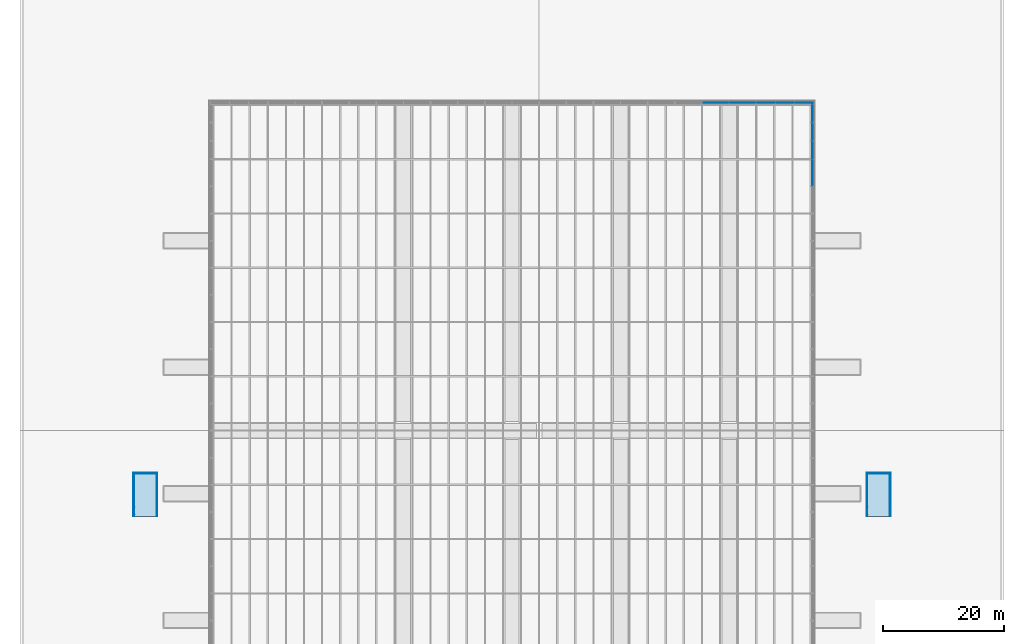
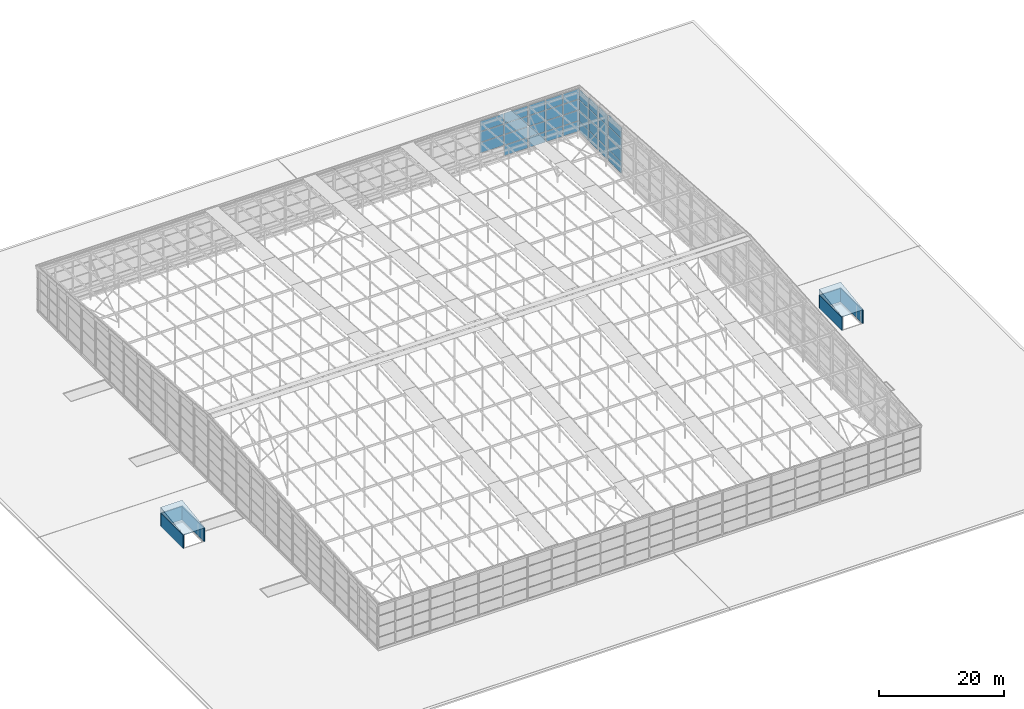
# One storey, part 58 of 84: 35 plates, 6 walls, 2 roofs, 6 elements without a shape of their own.
"""IFC4 building model written with IfcOpenShell, lengths in metres."""

from ifc_helpers import new_model, si_unit, direction, frame, frame_2d, origin, origin_2d, place, context, subcontext, project, spatial, rectangle, extrude, faceted_brep, material, layer, layer_set, type_object, element, aggregate, save


model = new_model("IFC4")

# Units and contexts
model_context = context("Model", 3, precision=1e-05, world=origin(), true_north=direction((0.0, 1.0)))
body_context = subcontext(model_context, "Body", "Model", "MODEL_VIEW")
ifc_project = project(units=[si_unit("LENGTHUNIT", "METRE"), si_unit("AREAUNIT", "SQUARE_METRE"), si_unit("VOLUMEUNIT", "CUBIC_METRE"), si_unit("PLANEANGLEUNIT", "RADIAN"), si_unit("MASSUNIT", "GRAM", prefix="KILO")], contexts=[model_context])

# Site, building, storey
site_placement = place(None, origin())
site = spatial("IfcSite", under=ifc_project, at=site_placement, CompositionType="ELEMENT")
building_placement = place(site_placement, origin())
building = spatial("IfcBuilding", under=site, at=building_placement, Name="Silverbay Arena", CompositionType="ELEMENT")
storey_placement = place(building_placement, frame((0.0, 0.0, 47.10009765625)))
storey = spatial("IfcBuildingStorey", under=building, at=storey_placement, Name="ROOF", CompositionType="ELEMENT", Elevation=47.10009765625)

# Curtain wall, plates
ifc_material_1 = material(Name="Aluminium framed glazing", Category="aluminium")
curtain_wall_type_1 = type_object("IfcCurtainWallType", Name="Curtain wall crown 9000 x 8425", PredefinedType="NOTDEFINED", material=ifc_material_1)
curtain_wall_1_placement = place(storey_placement, origin())
curtain_wall_1 = element("IfcCurtainWall", 1, at=curtain_wall_1_placement, inside=storey, type_object=curtain_wall_type_1, Name="ROOF CROWN CURTAIN WALL north bay 10", PredefinedType="NOTDEFINED")
ifc_material_2 = material(Name="Laminated glass", Category="glass")
ifc_layer_1 = layer(ifc_material_2, 0.031982421875)
ifc_layer_set_1 = layer_set([ifc_layer_1], Name="Laminated glass")
plate_type = type_object("IfcPlateType", Name="Glass panel 32", PredefinedType="CURTAIN_PANEL", material=ifc_layer_set_1)
placement = place(building_placement, frame((0.0, 0.0, 33.5)))
plate_1_placement = place(placement, frame((164.27490234375, 135.35009765625, 16.18603515625), z_axis=(0.0, 0.0, 1.0), x_axis=(1.0, 0.0, 0.0)))
plate_1 = element("IfcPlate", 2, at=plate_1_placement, type_object=plate_type, Name="CW62 panel 1.2", PredefinedType="CURTAIN_PANEL", context=body_context, shape_type="SweptSolid", body=[
    extrude(rectangle(XDim=4.35009765625, YDim=0.031982421875, at=origin_2d()), origin(), (0.0, 0.0, 1.0), 2.046142578125),
])
plate_2_placement = place(placement, frame((164.27490234375, 135.35009765625, 18.29248046875), z_axis=(0.0, 0.0, 1.0), x_axis=(1.0, 0.0, 0.0)))
plate_2 = element("IfcPlate", 3, at=plate_2_placement, type_object=plate_type, Name="CW62 panel 1.3", PredefinedType="CURTAIN_PANEL", context=body_context, shape_type="SweptSolid", body=[
    extrude(rectangle(XDim=4.35009765625, YDim=0.031982421875, at=origin_2d()), origin(), (0.0, 0.0, 1.0), 2.046142578125),
])
plate_3_placement = place(placement, frame((164.27490234375, 135.35009765625, 20.398681640625), z_axis=(0.0, 0.0, 1.0), x_axis=(1.0, 0.0, 0.0)))
plate_3 = element("IfcPlate", 4, at=plate_3_placement, type_object=plate_type, Name="CW62 panel 1.4", PredefinedType="CURTAIN_PANEL", context=body_context, shape_type="SweptSolid", body=[
    extrude(rectangle(XDim=4.35009765625, YDim=0.031982421875, at=origin_2d()), origin(), (0.0, 0.0, 1.0), 2.01611328125),
])
plate_4_placement = place(placement, frame((168.72509765625, 135.35009765625, 14.110107421875), z_axis=(0.0, 0.0, 1.0), x_axis=(1.0, 0.0, 0.0)))
plate_4 = element("IfcPlate", 5, at=plate_4_placement, type_object=plate_type, Name="CW62 panel 2.1", PredefinedType="CURTAIN_PANEL", context=body_context, shape_type="SweptSolid", body=[
    extrude(rectangle(XDim=4.35009765625, YDim=0.031982421875, at=origin_2d()), origin(), (0.0, 0.0, 1.0), 2.01611328125),
])
plate_5_placement = place(placement, frame((168.72509765625, 135.35009765625, 16.18603515625), z_axis=(0.0, 0.0, 1.0), x_axis=(1.0, 0.0, 0.0)))
plate_5 = element("IfcPlate", 6, at=plate_5_placement, type_object=plate_type, Name="CW62 panel 2.2", PredefinedType="CURTAIN_PANEL", context=body_context, shape_type="SweptSolid", body=[
    extrude(rectangle(XDim=4.35009765625, YDim=0.031982421875, at=origin_2d()), origin(), (0.0, 0.0, 1.0), 2.046142578125),
])
plate_6_placement = place(placement, frame((168.72509765625, 135.35009765625, 18.29248046875), z_axis=(0.0, 0.0, 1.0), x_axis=(1.0, 0.0, 0.0)))
plate_6 = element("IfcPlate", 7, at=plate_6_placement, type_object=plate_type, Name="CW62 panel 2.3", PredefinedType="CURTAIN_PANEL", context=body_context, shape_type="SweptSolid", body=[
    extrude(rectangle(XDim=4.35009765625, YDim=0.031982421875, at=origin_2d()), origin(), (0.0, 0.0, 1.0), 2.046142578125),
])
plate_7_placement = place(placement, frame((168.72509765625, 135.35009765625, 20.398681640625), z_axis=(0.0, 0.0, 1.0), x_axis=(1.0, 0.0, 0.0)))
plate_7 = element("IfcPlate", 8, at=plate_7_placement, type_object=plate_type, Name="CW62 panel 2.4", PredefinedType="CURTAIN_PANEL", context=body_context, shape_type="SweptSolid", body=[
    extrude(rectangle(XDim=4.35009765625, YDim=0.031982421875, at=origin_2d()), origin(), (0.0, 0.0, 1.0), 2.01611328125),
])
aggregate(curtain_wall_1, [plate_1, plate_2, plate_3, plate_4, plate_5, plate_6, plate_7])

ifc_material_3 = material(Name="Aluminium framed glazing", Category="aluminium")
curtain_wall_type_2 = type_object("IfcCurtainWallType", Name="Curtain wall crown 9575 x 8425", PredefinedType="NOTDEFINED", material=ifc_material_3)
curtain_wall_2_placement = place(storey_placement, origin())
curtain_wall_2 = element("IfcCurtainWall", 9, at=curtain_wall_2_placement, inside=storey, type_object=curtain_wall_type_2, Name="ROOF CROWN CURTAIN WALL north bay 11", PredefinedType="NOTDEFINED")
plate_8_placement = place(placement, frame((172.620849609375, 135.35009765625, 14.110107421875), z_axis=(0.0, 0.0, 1.0), x_axis=(1.0, 0.0, 0.0)))
plate_8 = element("IfcPlate", 10, at=plate_8_placement, type_object=plate_type, Name="CW61 panel 1.1", PredefinedType="CURTAIN_PANEL", context=body_context, shape_type="SweptSolid", body=[
    extrude(rectangle(XDim=3.041748046875, YDim=0.031982421875, at=origin_2d()), origin(), (0.0, 0.0, 1.0), 2.01611328125),
])
plate_9_placement = place(placement, frame((172.620849609375, 135.35009765625, 16.18603515625), z_axis=(0.0, 0.0, 1.0), x_axis=(1.0, 0.0, 0.0)))
plate_9 = element("IfcPlate", 11, at=plate_9_placement, type_object=plate_type, Name="CW61 panel 1.2", PredefinedType="CURTAIN_PANEL", context=body_context, shape_type="SweptSolid", body=[
    extrude(rectangle(XDim=3.041748046875, YDim=0.031982421875, at=origin_2d()), origin(), (0.0, 0.0, 1.0), 2.046142578125),
])
plate_10_placement = place(placement, frame((172.620849609375, 135.35009765625, 18.29248046875), z_axis=(0.0, 0.0, 1.0), x_axis=(1.0, 0.0, 0.0)))
plate_10 = element("IfcPlate", 12, at=plate_10_placement, type_object=plate_type, Name="CW61 panel 1.3", PredefinedType="CURTAIN_PANEL", context=body_context, shape_type="SweptSolid", body=[
    extrude(rectangle(XDim=3.041748046875, YDim=0.031982421875, at=origin_2d()), origin(), (0.0, 0.0, 1.0), 2.046142578125),
])
plate_11_placement = place(placement, frame((172.620849609375, 135.35009765625, 20.398681640625), z_axis=(0.0, 0.0, 1.0), x_axis=(1.0, 0.0, 0.0)))
plate_11 = element("IfcPlate", 13, at=plate_11_placement, type_object=plate_type, Name="CW61 panel 1.4", PredefinedType="CURTAIN_PANEL", context=body_context, shape_type="SweptSolid", body=[
    extrude(rectangle(XDim=3.041748046875, YDim=0.031982421875, at=origin_2d()), origin(), (0.0, 0.0, 1.0), 2.01611328125),
])
plate_12_placement = place(placement, frame((175.78759765625, 135.35009765625, 14.110107421875), z_axis=(0.0, 0.0, 1.0), x_axis=(1.0, 0.0, 0.0)))
plate_12 = element("IfcPlate", 14, at=plate_12_placement, type_object=plate_type, Name="CW61 panel 2.1", PredefinedType="CURTAIN_PANEL", context=body_context, shape_type="SweptSolid", body=[
    extrude(rectangle(XDim=3.091552734375, YDim=0.031982421875, at=origin_2d()), origin(), (0.0, 0.0, 1.0), 2.01611328125),
])
plate_13_placement = place(placement, frame((175.78759765625, 135.35009765625, 16.18603515625), z_axis=(0.0, 0.0, 1.0), x_axis=(1.0, 0.0, 0.0)))
plate_13 = element("IfcPlate", 15, at=plate_13_placement, type_object=plate_type, Name="CW61 panel 2.2", PredefinedType="CURTAIN_PANEL", context=body_context, shape_type="SweptSolid", body=[
    extrude(rectangle(XDim=3.091552734375, YDim=0.031982421875, at=origin_2d()), origin(), (0.0, 0.0, 1.0), 2.046142578125),
])
plate_14_placement = place(placement, frame((175.78759765625, 135.35009765625, 18.29248046875), z_axis=(0.0, 0.0, 1.0), x_axis=(1.0, 0.0, 0.0)))
plate_14 = element("IfcPlate", 16, at=plate_14_placement, type_object=plate_type, Name="CW61 panel 2.3", PredefinedType="CURTAIN_PANEL", context=body_context, shape_type="SweptSolid", body=[
    extrude(rectangle(XDim=3.091552734375, YDim=0.031982421875, at=origin_2d()), origin(), (0.0, 0.0, 1.0), 2.046142578125),
])
plate_15_placement = place(placement, frame((175.78759765625, 135.35009765625, 20.398681640625), z_axis=(0.0, 0.0, 1.0), x_axis=(1.0, 0.0, 0.0)))
plate_15 = element("IfcPlate", 17, at=plate_15_placement, type_object=plate_type, Name="CW61 panel 2.4", PredefinedType="CURTAIN_PANEL", context=body_context, shape_type="SweptSolid", body=[
    extrude(rectangle(XDim=3.091552734375, YDim=0.031982421875, at=origin_2d()), origin(), (0.0, 0.0, 1.0), 2.01611328125),
])
plate_16_placement = place(placement, frame((178.9541015625, 135.35009765625, 14.110107421875), z_axis=(0.0, 0.0, 1.0), x_axis=(1.0, 0.0, 0.0)))
plate_16 = element("IfcPlate", 18, at=plate_16_placement, type_object=plate_type, Name="CW61 panel 3.1", PredefinedType="CURTAIN_PANEL", context=body_context, shape_type="SweptSolid", body=[
    extrude(rectangle(XDim=3.041748046875, YDim=0.031982421875, at=origin_2d()), origin(), (0.0, 0.0, 1.0), 2.01611328125),
])
plate_17_placement = place(placement, frame((178.9541015625, 135.35009765625, 16.18603515625), z_axis=(0.0, 0.0, 1.0), x_axis=(1.0, 0.0, 0.0)))
plate_17 = element("IfcPlate", 19, at=plate_17_placement, type_object=plate_type, Name="CW61 panel 3.2", PredefinedType="CURTAIN_PANEL", context=body_context, shape_type="SweptSolid", body=[
    extrude(rectangle(XDim=3.041748046875, YDim=0.031982421875, at=origin_2d()), origin(), (0.0, 0.0, 1.0), 2.046142578125),
])
plate_18_placement = place(placement, frame((178.9541015625, 135.35009765625, 18.29248046875), z_axis=(0.0, 0.0, 1.0), x_axis=(1.0, 0.0, 0.0)))
plate_18 = element("IfcPlate", 20, at=plate_18_placement, type_object=plate_type, Name="CW61 panel 3.3", PredefinedType="CURTAIN_PANEL", context=body_context, shape_type="SweptSolid", body=[
    extrude(rectangle(XDim=3.041748046875, YDim=0.031982421875, at=origin_2d()), origin(), (0.0, 0.0, 1.0), 2.046142578125),
])
plate_19_placement = place(placement, frame((178.9541015625, 135.35009765625, 20.398681640625), z_axis=(0.0, 0.0, 1.0), x_axis=(1.0, 0.0, 0.0)))
plate_19 = element("IfcPlate", 21, at=plate_19_placement, type_object=plate_type, Name="CW61 panel 3.4", PredefinedType="CURTAIN_PANEL", context=body_context, shape_type="SweptSolid", body=[
    extrude(rectangle(XDim=3.041748046875, YDim=0.031982421875, at=origin_2d()), origin(), (0.0, 0.0, 1.0), 2.01611328125),
])
aggregate(curtain_wall_2, [plate_8, plate_9, plate_10, plate_11, plate_12, plate_13, plate_14, plate_15, plate_16, plate_17, plate_18, plate_19])

ifc_material_4 = material(Name="Aluminium framed glazing", Category="aluminium")
curtain_wall_type_3 = type_object("IfcCurtainWallType", Name="Curtain wall crown 4500 x 9100", PredefinedType="NOTDEFINED", material=ifc_material_4)
curtain_wall_3_placement = place(storey_placement, origin())
curtain_wall_3 = element("IfcCurtainWall", 22, at=curtain_wall_3_placement, inside=storey, type_object=curtain_wall_type_3, Name="ROOF CROWN CURTAIN WALL east bay 23", PredefinedType="NOTDEFINED")
plate_20_placement = place(placement, frame((180.35009765625, 123.75, 14.10986328125), z_axis=(0.0, 0.0, 1.0), x_axis=(0.0, 1.0, 0.0)))
plate_20 = element("IfcPlate", 23, at=plate_20_placement, type_object=plate_type, Name="CW66 panel 1.1", PredefinedType="CURTAIN_PANEL", context=body_context, shape_type="SweptSolid", body=[
    extrude(rectangle(XDim=4.300048828125, YDim=0.031982421875, at=origin_2d()), origin(), (0.0, 0.0, 1.0), 2.18505859375),
])
plate_21_placement = place(placement, frame((180.35009765625, 123.75, 16.35498046875), z_axis=(0.0, 0.0, 1.0), x_axis=(0.0, 1.0, 0.0)))
plate_21 = element("IfcPlate", 24, at=plate_21_placement, type_object=plate_type, Name="CW66 panel 1.2", PredefinedType="CURTAIN_PANEL", context=body_context, shape_type="SweptSolid", body=[
    extrude(rectangle(XDim=4.300048828125, YDim=0.031982421875, at=origin_2d()), origin(), (0.0, 0.0, 1.0), 2.215087890625),
])
plate_22_placement = place(placement, frame((180.35009765625, 123.75, 18.6298828125), z_axis=(0.0, 0.0, 1.0), x_axis=(0.0, 1.0, 0.0)))
plate_22 = element("IfcPlate", 25, at=plate_22_placement, type_object=plate_type, Name="CW66 panel 1.3", PredefinedType="CURTAIN_PANEL", context=body_context, shape_type="SweptSolid", body=[
    extrude(rectangle(XDim=4.300048828125, YDim=0.031982421875, at=origin_2d()), origin(), (0.0, 0.0, 1.0), 2.215087890625),
])
plate_23_placement = place(placement, frame((180.35009765625, 123.75, 20.905029296875), z_axis=(0.0, 0.0, 1.0), x_axis=(0.0, 1.0, 0.0)))
plate_23 = element("IfcPlate", 26, at=plate_23_placement, type_object=plate_type, Name="CW66 panel 1.4", PredefinedType="CURTAIN_PANEL", context=body_context, shape_type="SweptSolid", body=[
    extrude(rectangle(XDim=4.300048828125, YDim=0.031982421875, at=origin_2d()), origin(), (0.0, 0.0, 1.0), 2.18505859375),
])
aggregate(curtain_wall_3, [plate_20, plate_21, plate_22, plate_23])

ifc_material_5 = material(Name="Aluminium framed glazing", Category="aluminium")
curtain_wall_type_4 = type_object("IfcCurtainWallType", Name="Curtain wall crown 3042 x 8880", PredefinedType="NOTDEFINED", material=ifc_material_5)
curtain_wall_4_placement = place(storey_placement, origin())
curtain_wall_4 = element("IfcCurtainWall", 27, at=curtain_wall_4_placement, inside=storey, type_object=curtain_wall_type_4, Name="ROOF CROWN CURTAIN WALL east bay 24", PredefinedType="NOTDEFINED")
plate_24_placement = place(placement, frame((180.35009765625, 127.520751953125, 14.10986328125), z_axis=(0.0, 0.0, 1.0), x_axis=(0.0, 1.0, 0.0)))
plate_24 = element("IfcPlate", 28, at=plate_24_placement, type_object=plate_type, Name="CW65 panel 1.1", PredefinedType="CURTAIN_PANEL", context=body_context, shape_type="SweptSolid", body=[
    extrude(rectangle(XDim=2.841552734375, YDim=0.031982421875, at=origin_2d()), origin(), (0.0, 0.0, 1.0), 2.130126953125),
])
plate_25_placement = place(placement, frame((180.35009765625, 127.520751953125, 16.300048828125), z_axis=(0.0, 0.0, 1.0), x_axis=(0.0, 1.0, 0.0)))
plate_25 = element("IfcPlate", 29, at=plate_25_placement, type_object=plate_type, Name="CW65 panel 1.2", PredefinedType="CURTAIN_PANEL", context=body_context, shape_type="SweptSolid", body=[
    extrude(rectangle(XDim=2.841552734375, YDim=0.031982421875, at=origin_2d()), origin(), (0.0, 0.0, 1.0), 2.16015625),
])
plate_26_placement = place(placement, frame((180.35009765625, 127.520751953125, 18.52001953125), z_axis=(0.0, 0.0, 1.0), x_axis=(0.0, 1.0, 0.0)))
plate_26 = element("IfcPlate", 30, at=plate_26_placement, type_object=plate_type, Name="CW65 panel 1.3", PredefinedType="CURTAIN_PANEL", context=body_context, shape_type="SweptSolid", body=[
    extrude(rectangle(XDim=2.841552734375, YDim=0.031982421875, at=origin_2d()), origin(), (0.0, 0.0, 1.0), 2.16015625),
])
plate_27_placement = place(placement, frame((180.35009765625, 127.520751953125, 20.740234375), z_axis=(0.0, 0.0, 1.0), x_axis=(0.0, 1.0, 0.0)))
plate_27 = element("IfcPlate", 31, at=plate_27_placement, type_object=plate_type, Name="CW65 panel 1.4", PredefinedType="CURTAIN_PANEL", context=body_context, shape_type="SweptSolid", body=[
    extrude(rectangle(XDim=2.841552734375, YDim=0.031982421875, at=origin_2d()), origin(), (0.0, 0.0, 1.0), 2.130126953125),
])
aggregate(curtain_wall_4, [plate_24, plate_25, plate_26, plate_27])

ifc_material_6 = material(Name="Aluminium framed glazing", Category="aluminium")
curtain_wall_type_5 = type_object("IfcCurtainWallType", Name="Curtain wall crown 3042 x 8661", PredefinedType="NOTDEFINED", material=ifc_material_6)
curtain_wall_5_placement = place(storey_placement, origin())
curtain_wall_5 = element("IfcCurtainWall", 32, at=curtain_wall_5_placement, inside=storey, type_object=curtain_wall_type_5, Name="ROOF CROWN CURTAIN WALL east bay 25", PredefinedType="NOTDEFINED")
plate_28_placement = place(placement, frame((180.35009765625, 130.5625, 14.10986328125), z_axis=(0.0, 0.0, 1.0), x_axis=(0.0, 1.0, 0.0)))
plate_28 = element("IfcPlate", 33, at=plate_28_placement, type_object=plate_type, Name="CW64 panel 1.1", PredefinedType="CURTAIN_PANEL", context=body_context, shape_type="SweptSolid", body=[
    extrude(rectangle(XDim=2.841552734375, YDim=0.031982421875, at=origin_2d()), origin(), (0.0, 0.0, 1.0), 2.0751953125),
])
plate_29_placement = place(placement, frame((180.35009765625, 130.5625, 16.2451171875), z_axis=(0.0, 0.0, 1.0), x_axis=(0.0, 1.0, 0.0)))
plate_29 = element("IfcPlate", 34, at=plate_29_placement, type_object=plate_type, Name="CW64 panel 1.2", PredefinedType="CURTAIN_PANEL", context=body_context, shape_type="SweptSolid", body=[
    extrude(rectangle(XDim=2.841552734375, YDim=0.031982421875, at=origin_2d()), origin(), (0.0, 0.0, 1.0), 2.105224609375),
])
plate_30_placement = place(placement, frame((180.35009765625, 130.5625, 18.41015625), z_axis=(0.0, 0.0, 1.0), x_axis=(0.0, 1.0, 0.0)))
plate_30 = element("IfcPlate", 35, at=plate_30_placement, type_object=plate_type, Name="CW64 panel 1.3", PredefinedType="CURTAIN_PANEL", context=body_context, shape_type="SweptSolid", body=[
    extrude(rectangle(XDim=2.841552734375, YDim=0.031982421875, at=origin_2d()), origin(), (0.0, 0.0, 1.0), 2.105224609375),
])
plate_31_placement = place(placement, frame((180.35009765625, 130.5625, 20.575439453125), z_axis=(0.0, 0.0, 1.0), x_axis=(0.0, 1.0, 0.0)))
plate_31 = element("IfcPlate", 36, at=plate_31_placement, type_object=plate_type, Name="CW64 panel 1.4", PredefinedType="CURTAIN_PANEL", context=body_context, shape_type="SweptSolid", body=[
    extrude(rectangle(XDim=2.841552734375, YDim=0.031982421875, at=origin_2d()), origin(), (0.0, 0.0, 1.0), 2.0751953125),
])
aggregate(curtain_wall_5, [plate_28, plate_29, plate_30, plate_31])

ifc_material_7 = material(Name="Aluminium framed glazing", Category="aluminium")
curtain_wall_type_6 = type_object("IfcCurtainWallType", Name="Curtain wall crown 3042 x 8441", PredefinedType="NOTDEFINED", material=ifc_material_7)
curtain_wall_6_placement = place(storey_placement, origin())
curtain_wall_6 = element("IfcCurtainWall", 37, at=curtain_wall_6_placement, inside=storey, type_object=curtain_wall_type_6, Name="ROOF CROWN CURTAIN WALL east bay 26", PredefinedType="NOTDEFINED")
plate_32_placement = place(placement, frame((180.35009765625, 133.604248046875, 14.10986328125), z_axis=(0.0, 0.0, 1.0), x_axis=(0.0, 1.0, 0.0)))
plate_32 = element("IfcPlate", 38, at=plate_32_placement, type_object=plate_type, Name="CW63 panel 1.1", PredefinedType="CURTAIN_PANEL", context=body_context, shape_type="SweptSolid", body=[
    extrude(rectangle(XDim=2.841552734375, YDim=0.031982421875, at=origin_2d()), origin(), (0.0, 0.0, 1.0), 2.020263671875),
])
plate_33_placement = place(placement, frame((180.35009765625, 133.604248046875, 16.190185546875), z_axis=(0.0, 0.0, 1.0), x_axis=(0.0, 1.0, 0.0)))
plate_33 = element("IfcPlate", 39, at=plate_33_placement, type_object=plate_type, Name="CW63 panel 1.2", PredefinedType="CURTAIN_PANEL", context=body_context, shape_type="SweptSolid", body=[
    extrude(rectangle(XDim=2.841552734375, YDim=0.031982421875, at=origin_2d()), origin(), (0.0, 0.0, 1.0), 2.05029296875),
])
plate_34_placement = place(placement, frame((180.35009765625, 133.604248046875, 18.300537109375), z_axis=(0.0, 0.0, 1.0), x_axis=(0.0, 1.0, 0.0)))
plate_34 = element("IfcPlate", 40, at=plate_34_placement, type_object=plate_type, Name="CW63 panel 1.3", PredefinedType="CURTAIN_PANEL", context=body_context, shape_type="SweptSolid", body=[
    extrude(rectangle(XDim=2.841552734375, YDim=0.031982421875, at=origin_2d()), origin(), (0.0, 0.0, 1.0), 2.05029296875),
])
plate_35_placement = place(placement, frame((180.35009765625, 133.604248046875, 20.41064453125), z_axis=(0.0, 0.0, 1.0), x_axis=(0.0, 1.0, 0.0)))
plate_35 = element("IfcPlate", 41, at=plate_35_placement, type_object=plate_type, Name="CW63 panel 1.4", PredefinedType="CURTAIN_PANEL", context=body_context, shape_type="SweptSolid", body=[
    extrude(rectangle(XDim=2.841552734375, YDim=0.031982421875, at=origin_2d()), origin(), (0.0, 0.0, 1.0), 2.020263671875),
])
aggregate(curtain_wall_6, [plate_32, plate_33, plate_34, plate_35])

# Walls
ifc_material_8 = material(Name="Steel S350GD insulated panel", Category="steel")
ifc_layer_2 = layer(ifc_material_8, 0.14990234375)
ifc_layer_set_2 = layer_set([ifc_layer_2], Name="Steel S350GD insulated panel")
wall_type = type_object("IfcWallType", Name="Roof shelter panel wall 150", PredefinedType="SOLIDWALL", material=ifc_layer_set_2)
wall_1_placement = place(storey_placement, frame((71.625, 66.75, 0.0), z_axis=(0.0, 0.0, 1.0), x_axis=(0.0, 1.0, 0.0)))
element("IfcWall", 42, at=wall_1_placement, inside=storey, type_object=wall_type, Name="Roof shelter RH1 east wall", PredefinedType="SOLIDWALL", context=body_context, shape_type="SweptSolid", body=[
    extrude(rectangle(XDim=7.10009765625, YDim=0.14990234375, at=frame_2d((3.550048828125, 0.0))), origin(), (0.0, 0.0, 1.0), 2.599853515625),
])
wall_2_placement = place(storey_placement, frame((71.699951171875, 73.925048828125, 0.0), z_axis=(0.0, 0.0, 1.0), x_axis=(-1.0, 0.0, 0.0)))
element("IfcWall", 43, at=wall_2_placement, inside=storey, type_object=wall_type, Name="Roof shelter RH1 north wall", PredefinedType="SOLIDWALL", context=body_context, shape_type="SweptSolid", body=[
    extrude(rectangle(XDim=4.0, YDim=0.14990234375, at=frame_2d((2.0, 0.0))), origin(), (0.0, 0.0, 1.0), 2.599853515625),
])
for number, where, z_axis, x_axis, name in (
    (44, (67.77490234375, 73.85009765625, 0.0), (0.0, 0.0, 1.0), (0.0, -1.0, 0.0), "Roof shelter RH1 west wall"),
    (45, (193.22509765625, 66.75, 0.0), (0.0, 0.0, 1.0), (0.0, 1.0, 0.0), "Roof shelter RH2 east wall"),
):
    element("IfcWall", number, at=place(storey_placement, frame(where, z_axis=z_axis, x_axis=x_axis)), inside=storey, type_object=wall_type, Name=name, PredefinedType="SOLIDWALL", context=body_context, shape_type="SweptSolid", body=[
        extrude(rectangle(XDim=7.10009765625, YDim=0.14990234375, at=frame_2d((3.550048828125, 0.0))), origin(), (0.0, 0.0, 1.0), 2.599853515625),
    ])
wall_3_placement = place(storey_placement, frame((193.300048828125, 73.925048828125, 0.0), z_axis=(0.0, 0.0, 1.0), x_axis=(-1.0, 0.0, 0.0)))
element("IfcWall", 46, at=wall_3_placement, inside=storey, type_object=wall_type, Name="Roof shelter RH2 north wall", PredefinedType="SOLIDWALL", context=body_context, shape_type="SweptSolid", body=[
    extrude(rectangle(XDim=4.0, YDim=0.14990234375, at=frame_2d((2.0, 0.0))), origin(), (0.0, 0.0, 1.0), 2.599853515625),
])
wall_4_placement = place(storey_placement, frame((189.375, 73.85009765625, 0.0), z_axis=(0.0, 0.0, 1.0), x_axis=(0.0, -1.0, 0.0)))
element("IfcWall", 47, at=wall_4_placement, inside=storey, type_object=wall_type, Name="Roof shelter RH2 west wall", PredefinedType="SOLIDWALL", context=body_context, shape_type="SweptSolid", body=[
    extrude(rectangle(XDim=7.10009765625, YDim=0.14990234375, at=frame_2d((3.550048828125, 0.0))), origin(), (0.0, 0.0, 1.0), 2.599853515625),
])

# Roofs
ifc_material_9 = material(Name="Steel roof sheeting", Category="steel")
ifc_layer_3 = layer(ifc_material_9, 0.10009765625)
ifc_layer_set_3 = layer_set([ifc_layer_3], Name="Steel roof sheeting")
roof_type = type_object("IfcRoofType", Name="Roof shelter roof", PredefinedType="SHED_ROOF", material=ifc_layer_set_3)
roof_1_placement = place(storey_placement, origin())
element("IfcRoof", 48, at=roof_1_placement, inside=storey, type_object=roof_type, Name="Roof shelter RH1 roof", PredefinedType="SHED_ROOF", context=body_context, shape_type="Brep", body=[
    faceted_brep([(67.699951171875, 74.0, 2.599853515625), (71.699951171875, 74.0, 2.599853515625), (71.699951171875, 66.75, 2.599853515625), (67.699951171875, 66.75, 2.599853515625), (67.699951171875, 66.75, 2.699951171875), (71.699951171875, 66.75, 2.699951171875), (71.699951171875, 74.0, 3.699951171875), (67.699951171875, 74.0, 3.699951171875)], [[[0, 1, 2, 3]], [[4, 5, 6, 7]], [[3, 2, 5, 4]], [[2, 1, 6, 5]], [[1, 0, 7, 6]], [[0, 3, 4, 7]]]),
])
roof_2_placement = place(storey_placement, origin())
element("IfcRoof", 49, at=roof_2_placement, inside=storey, type_object=roof_type, Name="Roof shelter RH2 roof", PredefinedType="SHED_ROOF", context=body_context, shape_type="Brep", body=[
    faceted_brep([(189.300048828125, 74.0, 2.599853515625), (193.300048828125, 74.0, 2.599853515625), (193.300048828125, 66.75, 2.599853515625), (189.300048828125, 66.75, 2.599853515625), (189.300048828125, 66.75, 2.699951171875), (193.300048828125, 66.75, 2.699951171875), (193.300048828125, 74.0, 3.699951171875), (189.300048828125, 74.0, 3.699951171875)], [[[0, 1, 2, 3]], [[4, 5, 6, 7]], [[3, 2, 5, 4]], [[2, 1, 6, 5]], [[1, 0, 7, 6]], [[0, 3, 4, 7]]]),
])

save(model, "model.ifc")
